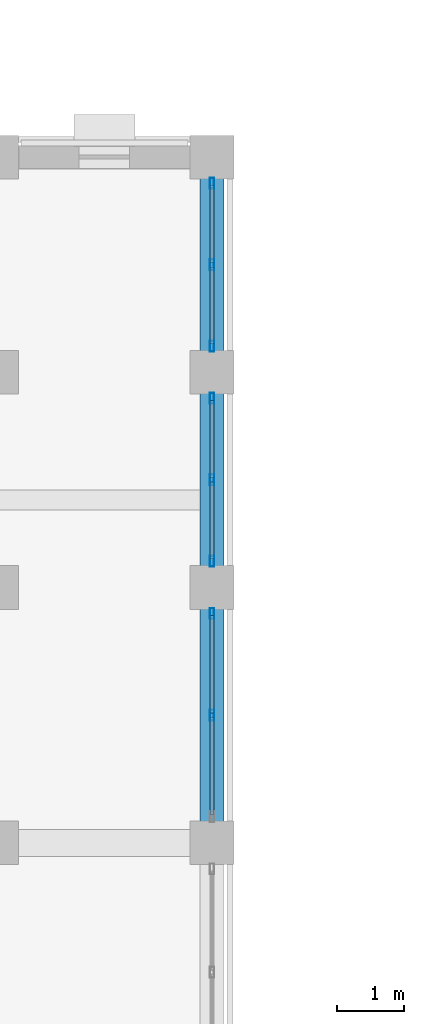
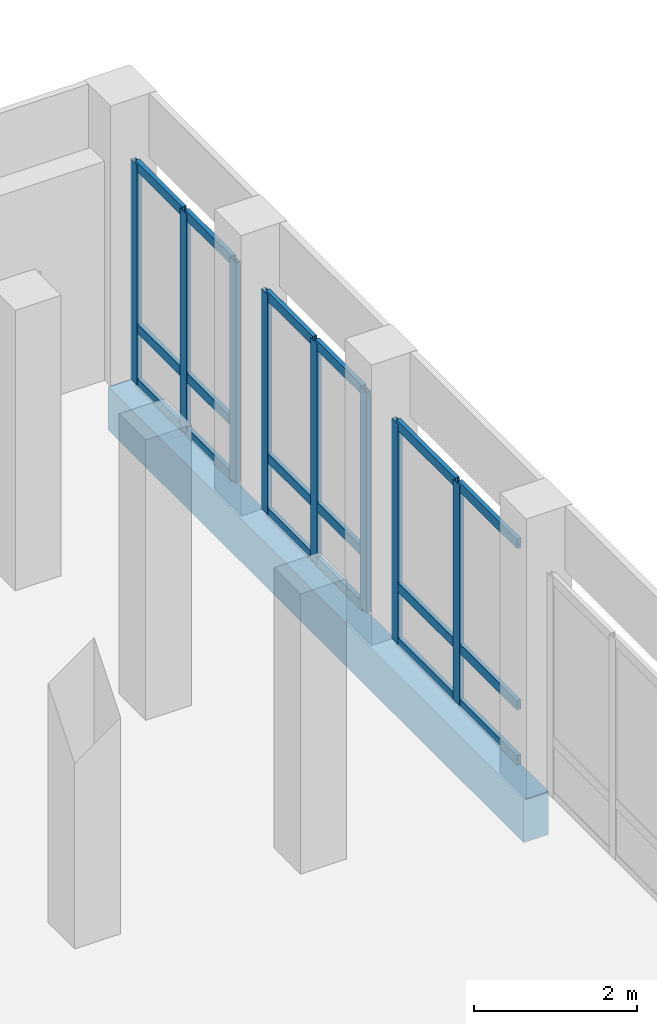
# One storey, part 27 of 200: 26 members, 1 beam, 3 elements without a shape of their own.
"""IFC4 building model written with IfcOpenShell, lengths in metres."""

import ifcopenshell
import ifcopenshell.guid

model = None  # the IFC model being written
_history = None  # IfcOwnerHistory: only IFC2X3 demands one
_inside = {}  # id of a spatial element -> (the spatial element, [elements in it])
_under = {}  # id of a project, library or spatial element -> (it, [spatial elements below it])
_declared = {}  # id of a project -> (the project, [libraries it declares])
_typed = {}  # id of a type object -> (the type object, [elements of that type])
_made_of = {}  # id of a material, layer set ... -> (it, [elements and type objects made of it])


def new_model(schema):
    """Start an empty IFC model of exactly this schema.

    Asked for "IFC4X3", IfcOpenShell would pick the latest addendum, in which some entities
    have other attributes; the version numbers below select the first issue.
    IFC2X3 requires an IfcOwnerHistory on every rooted entity: one is made here for all.
    """
    global model, _history
    if schema == "IFC4X3":
        model = ifcopenshell.file(schema_version=(4, 3, 0, 0))
    else:
        model = ifcopenshell.file(schema=schema)
    _inside.clear()
    _under.clear()
    _declared.clear()
    _typed.clear()
    _made_of.clear()
    _history = None
    if model.schema == "IFC2X3":
        org = make("IfcOrganization", Name="unknown")
        user = make(
            "IfcPersonAndOrganization",
            ThePerson=make("IfcPerson", FamilyName="unknown"),
            TheOrganization=org,
        )
        app = make(
            "IfcApplication",
            ApplicationDeveloper=org,
            Version="unknown",
            ApplicationFullName="unknown",
            ApplicationIdentifier="unknown",
        )
        _history = make(
            "IfcOwnerHistory",
            OwningUser=user,
            OwningApplication=app,
            ChangeAction="ADDED",
            CreationDate=0,
        )
    return model


def make(cls, **values):
    """One entity of the class cls with the attributes given. An attribute that is None is left unset."""
    return model.create_entity(
        cls, **{name: value for name, value in values.items() if value is not None}
    )


def rooted(cls, **values):
    """An entity with a GlobalId (a new one), such as an element, a storey or a relation."""
    return make(cls, GlobalId=ifcopenshell.guid.new(), OwnerHistory=_history, **values)


def si_unit(unit_type, name, prefix=None):
    """IfcSIUnit, for example si_unit("LENGTHUNIT", "METRE", prefix="MILLI")."""
    return make("IfcSIUnit", UnitType=unit_type, Prefix=prefix, Name=name)


def assignment(units):
    """IfcUnitAssignment: the units of a project."""
    return None if units is None else make("IfcUnitAssignment", Units=units)


def point(xyz):
    """IfcCartesianPoint."""
    return None if xyz is None else make("IfcCartesianPoint", Coordinates=xyz)


def direction(xyz):
    """IfcDirection."""
    return None if xyz is None else make("IfcDirection", DirectionRatios=xyz)


def frame(location, z_axis=None, x_axis=None):
    """IfcAxis2Placement3D, a coordinate frame: its origin and axes. An axis left out is left unset."""
    return make(
        "IfcAxis2Placement3D",
        Location=point(location),
        Axis=direction(z_axis),
        RefDirection=direction(x_axis),
    )


def frame_2d(location, x_axis=None):
    """IfcAxis2Placement2D, a coordinate frame in the plane: its origin and x axis."""
    return make(
        "IfcAxis2Placement2D", Location=point(location), RefDirection=direction(x_axis)
    )


def origin():
    """The frame at (0, 0, 0) with its axes left unset."""
    return frame((0.0, 0.0, 0.0))


def origin_2d():
    """The frame at (0, 0) in the plane with its x axis left unset."""
    return frame_2d((0.0, 0.0))


def place(relative_to, where):
    """IfcLocalPlacement: puts the frame where relative to a parent placement (None: the world)."""
    return make(
        "IfcLocalPlacement", PlacementRelTo=relative_to, RelativePlacement=where
    )


def context(
    kind, dimensions, precision=None, world=None, true_north=None, identifier=None
):
    """IfcGeometricRepresentationContext, for example the 3D "Model" context."""
    return make(
        "IfcGeometricRepresentationContext",
        ContextIdentifier=identifier,
        ContextType=kind,
        CoordinateSpaceDimension=dimensions,
        Precision=precision,
        WorldCoordinateSystem=world,
        TrueNorth=true_north,
    )


def subcontext(parent, identifier, kind, view, scale=None):
    """IfcGeometricRepresentationSubContext, for example "Body" below "Model"."""
    return make(
        "IfcGeometricRepresentationSubContext",
        ContextIdentifier=identifier,
        ContextType=kind,
        ParentContext=parent,
        TargetScale=scale,
        TargetView=view,
    )


def project(units=None, contexts=None):
    """IfcProject with its units and contexts."""
    return rooted(
        "IfcProject",
        Name="project",
        RepresentationContexts=contexts,
        UnitsInContext=assignment(units),
    )


def spatial(cls, under=None, at=None, **own):
    """A site, building, storey or space (cls), placed at a placement, below another one or the project."""
    s = rooted(cls, ObjectPlacement=at, **own)
    if under is not None:
        _under.setdefault(under.id(), (under, []))[1].append(s)
    return s


def profile(cls, at=None, kind="AREA", **sizes):
    """A parametric profile (cls). Its sizes go by their IFC names, for example OverallWidth=200.0."""
    return make(cls, ProfileType=kind, Position=at, **sizes)


def rectangle(**sizes):
    """IfcRectangleProfileDef."""
    return profile("IfcRectangleProfileDef", **sizes)


def hollow_rectangle(**sizes):
    """IfcRectangleHollowProfileDef."""
    return profile("IfcRectangleHollowProfileDef", **sizes)


def extrude(swept, where, along, depth):
    """IfcExtrudedAreaSolid: the profile swept, set in the frame where, extruded along a direction by depth."""
    return make(
        "IfcExtrudedAreaSolid",
        SweptArea=swept,
        Position=where,
        ExtrudedDirection=direction(along),
        Depth=depth,
    )


def shape(context_of_items, identifier, shape_type, items):
    """IfcShapeRepresentation: the items that make up one representation, for example the "Body"."""
    return make(
        "IfcShapeRepresentation",
        ContextOfItems=context_of_items,
        RepresentationIdentifier=identifier,
        RepresentationType=shape_type,
        Items=items,
    )


def material(Name=None, Category=None):
    """IfcMaterial."""
    return make("IfcMaterial", Name=Name, Category=Category)


def material_profile(
    of_material, cross_section, Name=None, Category=None, Priority=None
):
    """IfcMaterialProfile: a cross section and its material."""
    return make(
        "IfcMaterialProfile",
        Name=Name,
        Material=of_material,
        Profile=cross_section,
        Priority=Priority,
        Category=Category,
    )


def profile_set(profiles, Name=None, composite=None):
    """IfcMaterialProfileSet."""
    return make(
        "IfcMaterialProfileSet",
        Name=Name,
        MaterialProfiles=profiles,
        CompositeProfile=composite,
    )


def made_of(thing, what):
    """Note that an element or type object is made of a material, layer set ...; save() writes the relation."""
    if what is not None:
        _made_of.setdefault(what.id(), (what, []))[1].append(thing)
    return thing


def type_object(cls, material=None, **own):
    """A type object (cls), such as IfcWallType, which elements share."""
    return made_of(rooted(cls, **own), material)


def element(
    cls,
    number,
    at=None,
    inside=None,
    cuts=None,
    type_object=None,
    material=None,
    context=None,
    identifier="Body",
    shape_type=None,
    held_by="IfcProductDefinitionShape",
    body=None,
    shapes=None,
    **own,
):
    """One element of the class cls, such as IfcWall. Its Tag is "e" and its number.

    at: its placement. inside: the storey or other place that contains it. cuts: it is an
    opening in that element (IfcRelVoidsElement). A single representation is given by context,
    identifier, shape_type and body (its items); several are given by shapes. held_by: the class
    of the entity that holds the representations. save() writes the other relations.
    """
    e = rooted(cls, Tag="e%d" % number, ObjectPlacement=at, **own)
    if body is not None:
        shapes = [shape(context, identifier, shape_type, body)]
    if shapes is not None:
        e.Representation = make(held_by, Representations=shapes)
    if inside is not None:
        _inside.setdefault(inside.id(), (inside, []))[1].append(e)
    if cuts is not None:
        rooted(
            "IfcRelVoidsElement", RelatingBuildingElement=cuts, RelatedOpeningElement=e
        )
    if type_object is not None:
        _typed.setdefault(type_object.id(), (type_object, []))[1].append(e)
    return made_of(e, material)


def aggregate(whole, parts):
    """IfcRelAggregates: a whole, such as a stair, and the parts it consists of."""
    return rooted("IfcRelAggregates", RelatingObject=whole, RelatedObjects=parts)


def save(model, path):
    """Write the relations noted so far, then the file.

    IfcRelAggregates (storeys below a building ...), IfcRelContainedInSpatialStructure (elements
    in a storey), IfcRelDefinesByType, IfcRelAssociatesMaterial and IfcRelDeclares: one each for
    every whole, place, type object, material and project.
    """
    for whole, parts in _under.values():
        aggregate(whole, parts)
    for where, things in _inside.values():
        rooted(
            "IfcRelContainedInSpatialStructure",
            RelatedElements=things,
            RelatingStructure=where,
        )
    for kind, things in _typed.values():
        rooted("IfcRelDefinesByType", RelatedObjects=things, RelatingType=kind)
    for what, things in _made_of.values():
        rooted("IfcRelAssociatesMaterial", RelatedObjects=things, RelatingMaterial=what)
    for by, libraries in _declared.values():
        rooted("IfcRelDeclares", RelatingContext=by, RelatedDefinitions=libraries)
    model.write(path)


model = new_model("IFC4")

# Units and contexts
model_context = context("Model", 3, precision=1e-05, world=origin(), true_north=direction((0.0, 1.0)))
body_context = subcontext(model_context, "Body", "Model", "MODEL_VIEW")
ifc_project = project(units=[si_unit("LENGTHUNIT", "METRE"), si_unit("AREAUNIT", "SQUARE_METRE"), si_unit("VOLUMEUNIT", "CUBIC_METRE"), si_unit("PLANEANGLEUNIT", "RADIAN"), si_unit("MASSUNIT", "GRAM", prefix="KILO")], contexts=[model_context])

# Site, building, storey
site_placement = place(None, origin())
site = spatial("IfcSite", under=ifc_project, at=site_placement, CompositionType="ELEMENT")
building_placement = place(site_placement, origin())
building = spatial("IfcBuilding", under=site, at=building_placement, Name="Vondelvale Polytechnic", CompositionType="ELEMENT")
storey_placement = place(building_placement, frame((0.0, 0.0, 13.800048828125)))
storey = spatial("IfcBuildingStorey", under=building, at=storey_placement, Name="L03", CompositionType="ELEMENT", Elevation=13.800048828125)

# Curtain wall, members
ifc_material_1 = material(Name="Anodised extruded aluminium 6063-T6", Category="aluminium")
curtain_wall_type = type_object("IfcCurtainWallType", Name="CW-STUDIO-NORTH", PredefinedType="NOTDEFINED", material=ifc_material_1)
curtain_wall_1_placement = place(storey_placement, origin())
curtain_wall_1 = element("IfcCurtainWall", 1, at=curtain_wall_1_placement, inside=storey, type_object=curtain_wall_type, Name="L03 architectural curtain wall CW-01-028", PredefinedType="NOTDEFINED")
ifc_material_profile_1 = material_profile(ifc_material_1, hollow_rectangle(XDim=0.06494140625, YDim=0.159912109375, WallThickness=0.0048828125, at=origin_2d()), Name="CW-MUL-160x65")
ifc_profile_set_1 = profile_set([ifc_material_profile_1], Name="Anodised extruded aluminium 6063-T6")
member_type_1 = type_object("IfcMemberType", Name="CW-MUL-65x160", PredefinedType="MULLION", material=ifc_profile_set_1)
member_1_placement = place(storey_placement, frame((48.0, 32.5, 0.0), z_axis=(0.0, 0.0, 1.0), x_axis=(-1.0, 0.0, 0.0)))
member_1 = element("IfcMember", 2, at=member_1_placement, type_object=member_type_1, Name="CW-01-028 mullion 2", PredefinedType="MULLION", context=body_context, shape_type="SweptSolid", body=[
    extrude(hollow_rectangle(XDim=0.06494140625, YDim=0.159912109375, WallThickness=0.0048828125, at=origin_2d()), origin(), (0.0, 0.0, 1.0), 3.300048828125),
])
member_2_placement = place(storey_placement, frame((48.0, 34.012451171875, 0.0), z_axis=(0.0, 0.0, 1.0), x_axis=(-1.0, 0.0, 0.0)))
member_2 = element("IfcMember", 3, at=member_2_placement, type_object=member_type_1, Name="CW-01-028 mullion 3", PredefinedType="MULLION", context=body_context, shape_type="SweptSolid", body=[
    extrude(hollow_rectangle(XDim=0.06494140625, YDim=0.159912109375, WallThickness=0.0048828125, at=origin_2d()), origin(), (0.0, 0.0, 1.0), 3.300048828125),
])

curtain_wall_2_placement = place(storey_placement, origin())
curtain_wall_2 = element("IfcCurtainWall", 4, at=curtain_wall_2_placement, inside=storey, type_object=curtain_wall_type, Name="L03 architectural curtain wall CW-01-029", PredefinedType="NOTDEFINED")
member_3_placement = place(storey_placement, frame((48.0, 34.78759765625, 0.0), z_axis=(0.0, 0.0, 1.0), x_axis=(-1.0, 0.0, 0.0)))
member_3 = element("IfcMember", 5, at=member_3_placement, type_object=member_type_1, Name="CW-01-029 mullion 1", PredefinedType="MULLION", context=body_context, shape_type="SweptSolid", body=[
    extrude(hollow_rectangle(XDim=0.06494140625, YDim=0.159912109375, WallThickness=0.0048828125, at=origin_2d()), origin(), (0.0, 0.0, 1.0), 3.300048828125),
])
member_4_placement = place(storey_placement, frame((48.0, 36.0, 0.0), z_axis=(0.0, 0.0, 1.0), x_axis=(-1.0, 0.0, 0.0)))
member_4 = element("IfcMember", 6, at=member_4_placement, type_object=member_type_1, Name="CW-01-029 mullion 2", PredefinedType="MULLION", context=body_context, shape_type="SweptSolid", body=[
    extrude(hollow_rectangle(XDim=0.06494140625, YDim=0.159912109375, WallThickness=0.0048828125, at=origin_2d()), origin(), (0.0, 0.0, 1.0), 3.300048828125),
])
member_5_placement = place(storey_placement, frame((48.0, 37.21240234375, 0.0), z_axis=(0.0, 0.0, 1.0), x_axis=(-1.0, 0.0, 0.0)))
member_5 = element("IfcMember", 7, at=member_5_placement, type_object=member_type_1, Name="CW-01-029 mullion 3", PredefinedType="MULLION", context=body_context, shape_type="SweptSolid", body=[
    extrude(hollow_rectangle(XDim=0.06494140625, YDim=0.159912109375, WallThickness=0.0048828125, at=origin_2d()), origin(), (0.0, 0.0, 1.0), 3.300048828125),
])

curtain_wall_3_placement = place(storey_placement, origin())
curtain_wall_3 = element("IfcCurtainWall", 8, at=curtain_wall_3_placement, inside=storey, type_object=curtain_wall_type, Name="L03 architectural curtain wall CW-01-030", PredefinedType="NOTDEFINED")
member_6_placement = place(storey_placement, frame((48.0, 37.987548828125, 0.0), z_axis=(0.0, 0.0, 1.0), x_axis=(-1.0, 0.0, 0.0)))
member_6 = element("IfcMember", 9, at=member_6_placement, type_object=member_type_1, Name="CW-01-030 mullion 1", PredefinedType="MULLION", context=body_context, shape_type="SweptSolid", body=[
    extrude(hollow_rectangle(XDim=0.06494140625, YDim=0.159912109375, WallThickness=0.0048828125, at=origin_2d()), origin(), (0.0, 0.0, 1.0), 3.300048828125),
])
member_7_placement = place(storey_placement, frame((48.0, 39.199951171875, 0.0), z_axis=(0.0, 0.0, 1.0), x_axis=(-1.0, 0.0, 0.0)))
member_7 = element("IfcMember", 10, at=member_7_placement, type_object=member_type_1, Name="CW-01-030 mullion 2", PredefinedType="MULLION", context=body_context, shape_type="SweptSolid", body=[
    extrude(hollow_rectangle(XDim=0.06494140625, YDim=0.159912109375, WallThickness=0.0048828125, at=origin_2d()), origin(), (0.0, 0.0, 1.0), 3.300048828125),
])
member_8_placement = place(storey_placement, frame((48.0, 40.41259765625, 0.0), z_axis=(0.0, 0.0, 1.0), x_axis=(-1.0, 0.0, 0.0)))
member_8 = element("IfcMember", 11, at=member_8_placement, type_object=member_type_1, Name="CW-01-030 mullion 3", PredefinedType="MULLION", context=body_context, shape_type="SweptSolid", body=[
    extrude(hollow_rectangle(XDim=0.06494140625, YDim=0.159912109375, WallThickness=0.0048828125, at=origin_2d()), origin(), (0.0, 0.0, 1.0), 3.300048828125),
])

# Member
ifc_material_profile_2 = material_profile(ifc_material_1, hollow_rectangle(XDim=0.06005859375, YDim=0.139892578125, WallThickness=0.00341796875, at=origin_2d()), Name="CW-TRN-140x60")
ifc_profile_set_2 = profile_set([ifc_material_profile_2], Name="Anodised extruded aluminium 6063-T6")
member_type_2 = type_object("IfcMemberType", Name="CW-TRN-60x140", PredefinedType="USERDEFINED", material=ifc_profile_set_2)
member_9_placement = place(storey_placement, frame((48.0, 31.02001953125, 0.030029296875), z_axis=(0.0, 1.0, 0.0), x_axis=(-1.0, 0.0, 0.0)))
member_9 = element("IfcMember", 12, at=member_9_placement, type_object=member_type_2, Name="CW-01-028 transom 1.1", ObjectType="TRANSOM", PredefinedType="USERDEFINED", context=body_context, shape_type="SweptSolid", body=[
    extrude(hollow_rectangle(XDim=0.06005859375, YDim=0.139892578125, WallThickness=0.00341796875, at=origin_2d()), origin(), (0.0, 0.0, 1.0), 1.447509765625),
])

member_10_placement = place(storey_placement, frame((48.0, 31.02001953125, 0.849853515625), z_axis=(0.0, 1.0, 0.0), x_axis=(-1.0, 0.0, 0.0)))
member_10 = element("IfcMember", 13, at=member_10_placement, type_object=member_type_2, Name="CW-01-028 transom 1.2", ObjectType="TRANSOM", PredefinedType="USERDEFINED", context=body_context, shape_type="SweptSolid", body=[
    extrude(hollow_rectangle(XDim=0.06005859375, YDim=0.139892578125, WallThickness=0.00341796875, at=origin_2d()), origin(), (0.0, 0.0, 1.0), 1.447509765625),
])

member_11_placement = place(storey_placement, frame((48.0, 31.02001953125, 3.27001953125), z_axis=(0.0, 1.0, 0.0), x_axis=(-1.0, 0.0, 0.0)))
member_11 = element("IfcMember", 14, at=member_11_placement, type_object=member_type_2, Name="CW-01-028 transom 1.3", ObjectType="TRANSOM", PredefinedType="USERDEFINED", context=body_context, shape_type="SweptSolid", body=[
    extrude(hollow_rectangle(XDim=0.06005859375, YDim=0.139892578125, WallThickness=0.00341796875, at=origin_2d()), origin(), (0.0, 0.0, 1.0), 1.447509765625),
])

member_12_placement = place(storey_placement, frame((48.0, 32.532470703125, 0.030029296875), z_axis=(0.0, 1.0, 0.0), x_axis=(-1.0, 0.0, 0.0)))
member_12 = element("IfcMember", 15, at=member_12_placement, type_object=member_type_2, Name="CW-01-028 transom 2.1", ObjectType="TRANSOM", PredefinedType="USERDEFINED", context=body_context, shape_type="SweptSolid", body=[
    extrude(hollow_rectangle(XDim=0.06005859375, YDim=0.139892578125, WallThickness=0.00341796875, at=origin_2d()), origin(), (0.0, 0.0, 1.0), 1.447509765625),
])

member_13_placement = place(storey_placement, frame((48.0, 32.532470703125, 0.849853515625), z_axis=(0.0, 1.0, 0.0), x_axis=(-1.0, 0.0, 0.0)))
member_13 = element("IfcMember", 16, at=member_13_placement, type_object=member_type_2, Name="CW-01-028 transom 2.2", ObjectType="TRANSOM", PredefinedType="USERDEFINED", context=body_context, shape_type="SweptSolid", body=[
    extrude(hollow_rectangle(XDim=0.06005859375, YDim=0.139892578125, WallThickness=0.00341796875, at=origin_2d()), origin(), (0.0, 0.0, 1.0), 1.447509765625),
])

member_14_placement = place(storey_placement, frame((48.0, 32.532470703125, 3.27001953125), z_axis=(0.0, 1.0, 0.0), x_axis=(-1.0, 0.0, 0.0)))
member_14 = element("IfcMember", 17, at=member_14_placement, type_object=member_type_2, Name="CW-01-028 transom 2.3", ObjectType="TRANSOM", PredefinedType="USERDEFINED", context=body_context, shape_type="SweptSolid", body=[
    extrude(hollow_rectangle(XDim=0.06005859375, YDim=0.139892578125, WallThickness=0.00341796875, at=origin_2d()), origin(), (0.0, 0.0, 1.0), 1.447509765625),
])

aggregate(curtain_wall_1, [member_1, member_2, member_9, member_10, member_11, member_12, member_13, member_14])

member_15_placement = place(storey_placement, frame((48.0, 34.820068359375, 0.030029296875), z_axis=(0.0, 1.0, 0.0), x_axis=(-1.0, 0.0, 0.0)))
member_15 = element("IfcMember", 18, at=member_15_placement, type_object=member_type_2, Name="CW-01-029 transom 1.1", ObjectType="TRANSOM", PredefinedType="USERDEFINED", context=body_context, shape_type="SweptSolid", body=[
    extrude(hollow_rectangle(XDim=0.06005859375, YDim=0.139892578125, WallThickness=0.00341796875, at=origin_2d()), origin(), (0.0, 0.0, 1.0), 1.1474609375),
])

member_16_placement = place(storey_placement, frame((48.0, 34.820068359375, 0.849853515625), z_axis=(0.0, 1.0, 0.0), x_axis=(-1.0, 0.0, 0.0)))
member_16 = element("IfcMember", 19, at=member_16_placement, type_object=member_type_2, Name="CW-01-029 transom 1.2", ObjectType="TRANSOM", PredefinedType="USERDEFINED", context=body_context, shape_type="SweptSolid", body=[
    extrude(hollow_rectangle(XDim=0.06005859375, YDim=0.139892578125, WallThickness=0.00341796875, at=origin_2d()), origin(), (0.0, 0.0, 1.0), 1.1474609375),
])

member_17_placement = place(storey_placement, frame((48.0, 34.820068359375, 3.27001953125), z_axis=(0.0, 1.0, 0.0), x_axis=(-1.0, 0.0, 0.0)))
member_17 = element("IfcMember", 20, at=member_17_placement, type_object=member_type_2, Name="CW-01-029 transom 1.3", ObjectType="TRANSOM", PredefinedType="USERDEFINED", context=body_context, shape_type="SweptSolid", body=[
    extrude(hollow_rectangle(XDim=0.06005859375, YDim=0.139892578125, WallThickness=0.00341796875, at=origin_2d()), origin(), (0.0, 0.0, 1.0), 1.1474609375),
])

member_18_placement = place(storey_placement, frame((48.0, 36.032470703125, 0.030029296875), z_axis=(0.0, 1.0, 0.0), x_axis=(-1.0, 0.0, 0.0)))
member_18 = element("IfcMember", 21, at=member_18_placement, type_object=member_type_2, Name="CW-01-029 transom 2.1", ObjectType="TRANSOM", PredefinedType="USERDEFINED", context=body_context, shape_type="SweptSolid", body=[
    extrude(hollow_rectangle(XDim=0.06005859375, YDim=0.139892578125, WallThickness=0.00341796875, at=origin_2d()), origin(), (0.0, 0.0, 1.0), 1.1474609375),
])

member_19_placement = place(storey_placement, frame((48.0, 36.032470703125, 0.849853515625), z_axis=(0.0, 1.0, 0.0), x_axis=(-1.0, 0.0, 0.0)))
member_19 = element("IfcMember", 22, at=member_19_placement, type_object=member_type_2, Name="CW-01-029 transom 2.2", ObjectType="TRANSOM", PredefinedType="USERDEFINED", context=body_context, shape_type="SweptSolid", body=[
    extrude(hollow_rectangle(XDim=0.06005859375, YDim=0.139892578125, WallThickness=0.00341796875, at=origin_2d()), origin(), (0.0, 0.0, 1.0), 1.1474609375),
])

member_20_placement = place(storey_placement, frame((48.0, 36.032470703125, 3.27001953125), z_axis=(0.0, 1.0, 0.0), x_axis=(-1.0, 0.0, 0.0)))
member_20 = element("IfcMember", 23, at=member_20_placement, type_object=member_type_2, Name="CW-01-029 transom 2.3", ObjectType="TRANSOM", PredefinedType="USERDEFINED", context=body_context, shape_type="SweptSolid", body=[
    extrude(hollow_rectangle(XDim=0.06005859375, YDim=0.139892578125, WallThickness=0.00341796875, at=origin_2d()), origin(), (0.0, 0.0, 1.0), 1.1474609375),
])

aggregate(curtain_wall_2, [member_3, member_4, member_5, member_15, member_16, member_17, member_18, member_19, member_20])

member_21_placement = place(storey_placement, frame((48.0, 38.02001953125, 0.030029296875), z_axis=(0.0, 1.0, 0.0), x_axis=(-1.0, 0.0, 0.0)))
member_21 = element("IfcMember", 24, at=member_21_placement, type_object=member_type_2, Name="CW-01-030 transom 1.1", ObjectType="TRANSOM", PredefinedType="USERDEFINED", context=body_context, shape_type="SweptSolid", body=[
    extrude(hollow_rectangle(XDim=0.06005859375, YDim=0.139892578125, WallThickness=0.00341796875, at=origin_2d()), origin(), (0.0, 0.0, 1.0), 1.1474609375),
])

member_22_placement = place(storey_placement, frame((48.0, 38.02001953125, 0.849853515625), z_axis=(0.0, 1.0, 0.0), x_axis=(-1.0, 0.0, 0.0)))
member_22 = element("IfcMember", 25, at=member_22_placement, type_object=member_type_2, Name="CW-01-030 transom 1.2", ObjectType="TRANSOM", PredefinedType="USERDEFINED", context=body_context, shape_type="SweptSolid", body=[
    extrude(hollow_rectangle(XDim=0.06005859375, YDim=0.139892578125, WallThickness=0.00341796875, at=origin_2d()), origin(), (0.0, 0.0, 1.0), 1.1474609375),
])

member_23_placement = place(storey_placement, frame((48.0, 38.02001953125, 3.27001953125), z_axis=(0.0, 1.0, 0.0), x_axis=(-1.0, 0.0, 0.0)))
member_23 = element("IfcMember", 26, at=member_23_placement, type_object=member_type_2, Name="CW-01-030 transom 1.3", ObjectType="TRANSOM", PredefinedType="USERDEFINED", context=body_context, shape_type="SweptSolid", body=[
    extrude(hollow_rectangle(XDim=0.06005859375, YDim=0.139892578125, WallThickness=0.00341796875, at=origin_2d()), origin(), (0.0, 0.0, 1.0), 1.1474609375),
])

member_24_placement = place(storey_placement, frame((48.0, 39.232421875, 0.030029296875), z_axis=(0.0, 1.0, 0.0), x_axis=(-1.0, 0.0, 0.0)))
member_24 = element("IfcMember", 27, at=member_24_placement, type_object=member_type_2, Name="CW-01-030 transom 2.1", ObjectType="TRANSOM", PredefinedType="USERDEFINED", context=body_context, shape_type="SweptSolid", body=[
    extrude(hollow_rectangle(XDim=0.06005859375, YDim=0.139892578125, WallThickness=0.00341796875, at=origin_2d()), origin(), (0.0, 0.0, 1.0), 1.1474609375),
])

member_25_placement = place(storey_placement, frame((48.0, 39.232421875, 0.849853515625), z_axis=(0.0, 1.0, 0.0), x_axis=(-1.0, 0.0, 0.0)))
member_25 = element("IfcMember", 28, at=member_25_placement, type_object=member_type_2, Name="CW-01-030 transom 2.2", ObjectType="TRANSOM", PredefinedType="USERDEFINED", context=body_context, shape_type="SweptSolid", body=[
    extrude(hollow_rectangle(XDim=0.06005859375, YDim=0.139892578125, WallThickness=0.00341796875, at=origin_2d()), origin(), (0.0, 0.0, 1.0), 1.1474609375),
])

member_26_placement = place(storey_placement, frame((48.0, 39.232421875, 3.27001953125), z_axis=(0.0, 1.0, 0.0), x_axis=(-1.0, 0.0, 0.0)))
member_26 = element("IfcMember", 29, at=member_26_placement, type_object=member_type_2, Name="CW-01-030 transom 2.3", ObjectType="TRANSOM", PredefinedType="USERDEFINED", context=body_context, shape_type="SweptSolid", body=[
    extrude(hollow_rectangle(XDim=0.06005859375, YDim=0.139892578125, WallThickness=0.00341796875, at=origin_2d()), origin(), (0.0, 0.0, 1.0), 1.1474609375),
])

aggregate(curtain_wall_3, [member_6, member_7, member_8, member_21, member_22, member_23, member_24, member_25, member_26])

# Beam
ifc_material_2 = material(Name="Precast concrete N40 (f'c = 40 MPa)", Category="concrete")
ifc_material_profile_3 = material_profile(ifc_material_2, rectangle(XDim=0.35009765625, YDim=0.64990234375, at=origin_2d()), Name="RC-SPN-350x650")
ifc_profile_set_3 = profile_set([ifc_material_profile_3], Name="Precast concrete N40 (f'c = 40 MPa)")
beam_type = type_object("IfcBeamType", Name="SPN-PRE350x650", PredefinedType="SPANDREL", material=ifc_profile_set_3)
beam_placement = place(storey_placement, frame((48.0, 30.60009765625, -0.574951171875), z_axis=(0.0, 1.0, 0.0), x_axis=(-1.0, 0.0, 0.0)))
element("IfcBeam", 30, at=beam_placement, inside=storey, type_object=beam_type, Name="L03 B SP-02", PredefinedType="SPANDREL", context=body_context, shape_type="SweptSolid", body=[
    extrude(rectangle(XDim=0.35009765625, YDim=0.64990234375, at=origin_2d()), origin(), (0.0, 0.0, 1.0), 10.199951171875),
])

save(model, "model.ifc")
